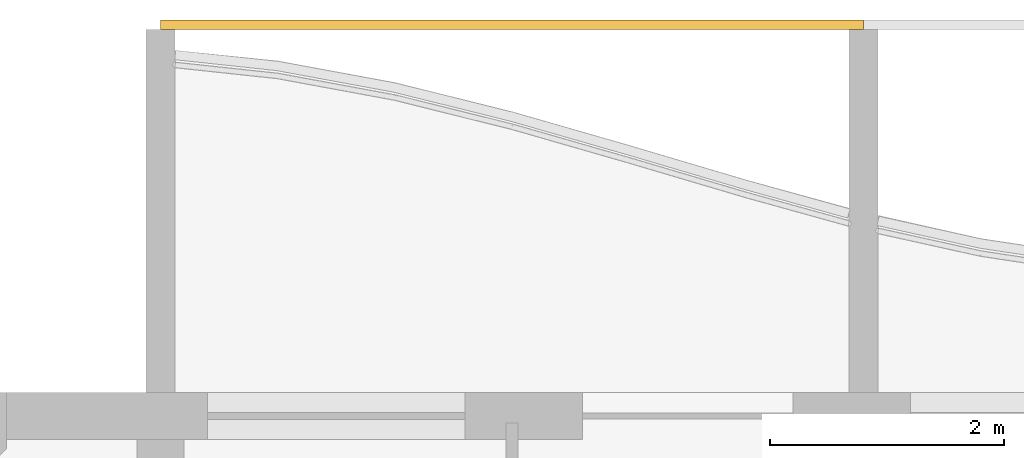
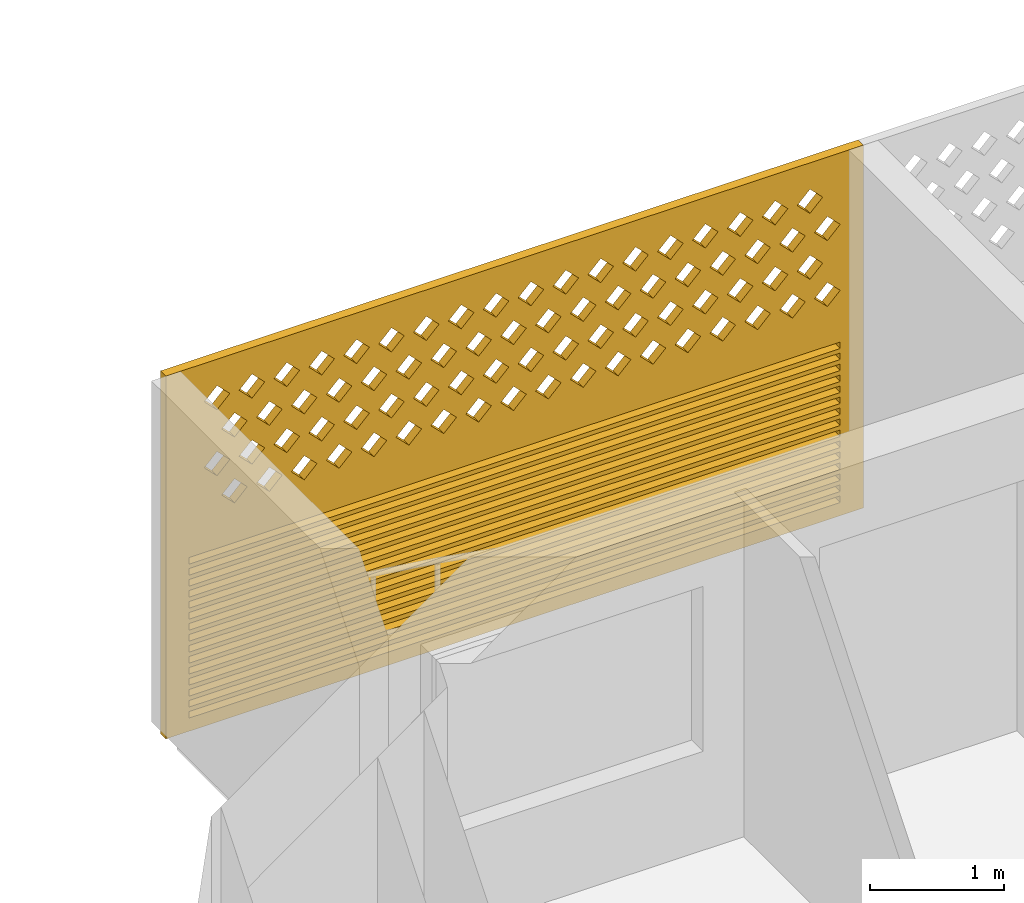
# One storey, part 21 of 40: 1 covering.
"""IFC4 building model written with IfcOpenShell, lengths in metres."""

from ifc_helpers import new_model, si_unit, direction, frame, origin, place, context, subcontext, project, spatial, polyline, outline, extrude, source, transform, mapped, material, material_profile, profile_set, type_object, element, save


model = new_model("IFC4")

# Units and contexts
model_context = context("Model", 3, precision=1e-05, world=origin(), true_north=direction((0.0, 1.0)))
body_context = subcontext(model_context, "Body", "Model", "MODEL_VIEW")
ifc_project = project(units=[si_unit("LENGTHUNIT", "METRE"), si_unit("AREAUNIT", "SQUARE_METRE"), si_unit("VOLUMEUNIT", "CUBIC_METRE"), si_unit("PLANEANGLEUNIT", "RADIAN"), si_unit("MASSUNIT", "GRAM", prefix="KILO")], contexts=[model_context])

# Site, building, storey
site_placement = place(None, origin())
site = spatial("IfcSite", under=ifc_project, at=site_placement, CompositionType="ELEMENT")
building_placement = place(site_placement, origin())
building = spatial("IfcBuilding", under=site, at=building_placement, Name="Poui Terraces", CompositionType="ELEMENT")
storey_placement = place(building_placement, frame((0.0, 0.0, 39.89990234375)))
storey = spatial("IfcBuildingStorey", under=building, at=storey_placement, Name="L10", CompositionType="ELEMENT", Elevation=39.89990234375)

# Covering
ifc_material = material(Name="Terracotta screen", Category="masonry")
ifc_material_profile = material_profile(ifc_material, outline(polyline([(-3.0, -1.64990234375), (3.0, -1.64990234375), (3.0, 1.64990234375), (-3.0, 1.64990234375), (-3.0, -1.64990234375)]), holes=[polyline([(-2.800048828125, 0.39990234375), (-2.68994140625, 0.2900390625), (-2.580078125, 0.39990234375), (-2.68994140625, 0.510009765625), (-2.800048828125, 0.39990234375)]), polyline([(-2.5, 0.39990234375), (-2.389892578125, 0.2900390625), (-2.280029296875, 0.39990234375), (-2.389892578125, 0.510009765625), (-2.5, 0.39990234375)]), polyline([(-2.199951171875, 0.39990234375), (-2.090087890625, 0.2900390625), (-1.97998046875, 0.39990234375), (-2.090087890625, 0.510009765625), (-2.199951171875, 0.39990234375)]), polyline([(-1.89990234375, 0.39990234375), (-1.7900390625, 0.2900390625), (-1.679931640625, 0.39990234375), (-1.7900390625, 0.510009765625), (-1.89990234375, 0.39990234375)]), polyline([(-1.60009765625, 0.39990234375), (-1.489990234375, 0.2900390625), (-1.3798828125, 0.39990234375), (-1.489990234375, 0.510009765625), (-1.60009765625, 0.39990234375)]), polyline([(-1.300048828125, 0.39990234375), (-1.18994140625, 0.2900390625), (-1.080078125, 0.39990234375), (-1.18994140625, 0.510009765625), (-1.300048828125, 0.39990234375)]), polyline([(-1.0, 0.39990234375), (-0.889892578125, 0.2900390625), (-0.780029296875, 0.39990234375), (-0.889892578125, 0.510009765625), (-1.0, 0.39990234375)]), polyline([(-0.699951171875, 0.39990234375), (-0.590087890625, 0.2900390625), (-0.47998046875, 0.39990234375), (-0.590087890625, 0.510009765625), (-0.699951171875, 0.39990234375)]), polyline([(-0.39990234375, 0.39990234375), (-0.2900390625, 0.2900390625), (-0.179931640625, 0.39990234375), (-0.2900390625, 0.510009765625), (-0.39990234375, 0.39990234375)]), polyline([(-0.10009765625, 0.39990234375), (0.010009765625, 0.2900390625), (0.1201171875, 0.39990234375), (0.010009765625, 0.510009765625), (-0.10009765625, 0.39990234375)]), polyline([(0.199951171875, 0.39990234375), (0.31005859375, 0.2900390625), (0.419921875, 0.39990234375), (0.31005859375, 0.510009765625), (0.199951171875, 0.39990234375)]), polyline([(0.5, 0.39990234375), (0.610107421875, 0.2900390625), (0.719970703125, 0.39990234375), (0.610107421875, 0.510009765625), (0.5, 0.39990234375)]), polyline([(0.800048828125, 0.39990234375), (0.909912109375, 0.2900390625), (1.02001953125, 0.39990234375), (0.909912109375, 0.510009765625), (0.800048828125, 0.39990234375)]), polyline([(1.10009765625, 0.39990234375), (1.2099609375, 0.2900390625), (1.320068359375, 0.39990234375), (1.2099609375, 0.510009765625), (1.10009765625, 0.39990234375)]), polyline([(1.39990234375, 0.39990234375), (1.510009765625, 0.2900390625), (1.6201171875, 0.39990234375), (1.510009765625, 0.510009765625), (1.39990234375, 0.39990234375)]), polyline([(1.699951171875, 0.39990234375), (1.81005859375, 0.2900390625), (1.919921875, 0.39990234375), (1.81005859375, 0.510009765625), (1.699951171875, 0.39990234375)]), polyline([(2.0, 0.39990234375), (2.110107421875, 0.2900390625), (2.219970703125, 0.39990234375), (2.110107421875, 0.510009765625), (2.0, 0.39990234375)]), polyline([(2.300048828125, 0.39990234375), (2.409912109375, 0.2900390625), (2.52001953125, 0.39990234375), (2.409912109375, 0.510009765625), (2.300048828125, 0.39990234375)]), polyline([(-2.64990234375, 0.699951171875), (-2.5400390625, 0.590087890625), (-2.429931640625, 0.699951171875), (-2.5400390625, 0.81005859375), (-2.64990234375, 0.699951171875)]), polyline([(-2.35009765625, 0.699951171875), (-2.239990234375, 0.590087890625), (-2.1298828125, 0.699951171875), (-2.239990234375, 0.81005859375), (-2.35009765625, 0.699951171875)]), polyline([(-2.050048828125, 0.699951171875), (-1.93994140625, 0.590087890625), (-1.830078125, 0.699951171875), (-1.93994140625, 0.81005859375), (-2.050048828125, 0.699951171875)]), polyline([(-1.75, 0.699951171875), (-1.639892578125, 0.590087890625), (-1.530029296875, 0.699951171875), (-1.639892578125, 0.81005859375), (-1.75, 0.699951171875)]), polyline([(-1.449951171875, 0.699951171875), (-1.340087890625, 0.590087890625), (-1.22998046875, 0.699951171875), (-1.340087890625, 0.81005859375), (-1.449951171875, 0.699951171875)]), polyline([(-1.14990234375, 0.699951171875), (-1.0400390625, 0.590087890625), (-0.929931640625, 0.699951171875), (-1.0400390625, 0.81005859375), (-1.14990234375, 0.699951171875)]), polyline([(-0.85009765625, 0.699951171875), (-0.739990234375, 0.590087890625), (-0.6298828125, 0.699951171875), (-0.739990234375, 0.81005859375), (-0.85009765625, 0.699951171875)]), polyline([(-0.550048828125, 0.699951171875), (-0.43994140625, 0.590087890625), (-0.330078125, 0.699951171875), (-0.43994140625, 0.81005859375), (-0.550048828125, 0.699951171875)]), polyline([(-0.25, 0.699951171875), (-0.139892578125, 0.590087890625), (-0.030029296875, 0.699951171875), (-0.139892578125, 0.81005859375), (-0.25, 0.699951171875)]), polyline([(0.050048828125, 0.699951171875), (0.159912109375, 0.590087890625), (0.27001953125, 0.699951171875), (0.159912109375, 0.81005859375), (0.050048828125, 0.699951171875)]), polyline([(0.35009765625, 0.699951171875), (0.4599609375, 0.590087890625), (0.570068359375, 0.699951171875), (0.4599609375, 0.81005859375), (0.35009765625, 0.699951171875)]), polyline([(0.64990234375, 0.699951171875), (0.760009765625, 0.590087890625), (0.8701171875, 0.699951171875), (0.760009765625, 0.81005859375), (0.64990234375, 0.699951171875)]), polyline([(0.949951171875, 0.699951171875), (1.06005859375, 0.590087890625), (1.169921875, 0.699951171875), (1.06005859375, 0.81005859375), (0.949951171875, 0.699951171875)]), polyline([(1.25, 0.699951171875), (1.360107421875, 0.590087890625), (1.469970703125, 0.699951171875), (1.360107421875, 0.81005859375), (1.25, 0.699951171875)]), polyline([(1.550048828125, 0.699951171875), (1.659912109375, 0.590087890625), (1.77001953125, 0.699951171875), (1.659912109375, 0.81005859375), (1.550048828125, 0.699951171875)]), polyline([(1.85009765625, 0.699951171875), (1.9599609375, 0.590087890625), (2.070068359375, 0.699951171875), (1.9599609375, 0.81005859375), (1.85009765625, 0.699951171875)]), polyline([(2.14990234375, 0.699951171875), (2.260009765625, 0.590087890625), (2.3701171875, 0.699951171875), (2.260009765625, 0.81005859375), (2.14990234375, 0.699951171875)]), polyline([(2.449951171875, 0.699951171875), (2.56005859375, 0.590087890625), (2.669921875, 0.699951171875), (2.56005859375, 0.81005859375), (2.449951171875, 0.699951171875)]), polyline([(-2.800048828125, 1.0), (-2.68994140625, 0.889892578125), (-2.580078125, 1.0), (-2.68994140625, 1.110107421875), (-2.800048828125, 1.0)]), polyline([(-2.5, 1.0), (-2.389892578125, 0.889892578125), (-2.280029296875, 1.0), (-2.389892578125, 1.110107421875), (-2.5, 1.0)]), polyline([(-2.199951171875, 1.0), (-2.090087890625, 0.889892578125), (-1.97998046875, 1.0), (-2.090087890625, 1.110107421875), (-2.199951171875, 1.0)]), polyline([(-1.89990234375, 1.0), (-1.7900390625, 0.889892578125), (-1.679931640625, 1.0), (-1.7900390625, 1.110107421875), (-1.89990234375, 1.0)]), polyline([(-1.60009765625, 1.0), (-1.489990234375, 0.889892578125), (-1.3798828125, 1.0), (-1.489990234375, 1.110107421875), (-1.60009765625, 1.0)]), polyline([(-1.300048828125, 1.0), (-1.18994140625, 0.889892578125), (-1.080078125, 1.0), (-1.18994140625, 1.110107421875), (-1.300048828125, 1.0)]), polyline([(-1.0, 1.0), (-0.889892578125, 0.889892578125), (-0.780029296875, 1.0), (-0.889892578125, 1.110107421875), (-1.0, 1.0)]), polyline([(-0.699951171875, 1.0), (-0.590087890625, 0.889892578125), (-0.47998046875, 1.0), (-0.590087890625, 1.110107421875), (-0.699951171875, 1.0)]), polyline([(-0.39990234375, 1.0), (-0.2900390625, 0.889892578125), (-0.179931640625, 1.0), (-0.2900390625, 1.110107421875), (-0.39990234375, 1.0)]), polyline([(-0.10009765625, 1.0), (0.010009765625, 0.889892578125), (0.1201171875, 1.0), (0.010009765625, 1.110107421875), (-0.10009765625, 1.0)]), polyline([(0.199951171875, 1.0), (0.31005859375, 0.889892578125), (0.419921875, 1.0), (0.31005859375, 1.110107421875), (0.199951171875, 1.0)]), polyline([(0.5, 1.0), (0.610107421875, 0.889892578125), (0.719970703125, 1.0), (0.610107421875, 1.110107421875), (0.5, 1.0)]), polyline([(0.800048828125, 1.0), (0.909912109375, 0.889892578125), (1.02001953125, 1.0), (0.909912109375, 1.110107421875), (0.800048828125, 1.0)]), polyline([(1.10009765625, 1.0), (1.2099609375, 0.889892578125), (1.320068359375, 1.0), (1.2099609375, 1.110107421875), (1.10009765625, 1.0)]), polyline([(1.39990234375, 1.0), (1.510009765625, 0.889892578125), (1.6201171875, 1.0), (1.510009765625, 1.110107421875), (1.39990234375, 1.0)]), polyline([(1.699951171875, 1.0), (1.81005859375, 0.889892578125), (1.919921875, 1.0), (1.81005859375, 1.110107421875), (1.699951171875, 1.0)]), polyline([(2.0, 1.0), (2.110107421875, 0.889892578125), (2.219970703125, 1.0), (2.110107421875, 1.110107421875), (2.0, 1.0)]), polyline([(2.300048828125, 1.0), (2.409912109375, 0.889892578125), (2.52001953125, 1.0), (2.409912109375, 1.110107421875), (2.300048828125, 1.0)]), polyline([(-2.64990234375, 1.300048828125), (-2.5400390625, 1.18994140625), (-2.429931640625, 1.300048828125), (-2.5400390625, 1.409912109375), (-2.64990234375, 1.300048828125)]), polyline([(-2.35009765625, 1.300048828125), (-2.239990234375, 1.18994140625), (-2.1298828125, 1.300048828125), (-2.239990234375, 1.409912109375), (-2.35009765625, 1.300048828125)]), polyline([(-2.050048828125, 1.300048828125), (-1.93994140625, 1.18994140625), (-1.830078125, 1.300048828125), (-1.93994140625, 1.409912109375), (-2.050048828125, 1.300048828125)]), polyline([(-1.75, 1.300048828125), (-1.639892578125, 1.18994140625), (-1.530029296875, 1.300048828125), (-1.639892578125, 1.409912109375), (-1.75, 1.300048828125)]), polyline([(-1.449951171875, 1.300048828125), (-1.340087890625, 1.18994140625), (-1.22998046875, 1.300048828125), (-1.340087890625, 1.409912109375), (-1.449951171875, 1.300048828125)]), polyline([(-1.14990234375, 1.300048828125), (-1.0400390625, 1.18994140625), (-0.929931640625, 1.300048828125), (-1.0400390625, 1.409912109375), (-1.14990234375, 1.300048828125)]), polyline([(-0.85009765625, 1.300048828125), (-0.739990234375, 1.18994140625), (-0.6298828125, 1.300048828125), (-0.739990234375, 1.409912109375), (-0.85009765625, 1.300048828125)]), polyline([(-0.550048828125, 1.300048828125), (-0.43994140625, 1.18994140625), (-0.330078125, 1.300048828125), (-0.43994140625, 1.409912109375), (-0.550048828125, 1.300048828125)]), polyline([(-0.25, 1.300048828125), (-0.139892578125, 1.18994140625), (-0.030029296875, 1.300048828125), (-0.139892578125, 1.409912109375), (-0.25, 1.300048828125)]), polyline([(0.050048828125, 1.300048828125), (0.159912109375, 1.18994140625), (0.27001953125, 1.300048828125), (0.159912109375, 1.409912109375), (0.050048828125, 1.300048828125)]), polyline([(0.35009765625, 1.300048828125), (0.4599609375, 1.18994140625), (0.570068359375, 1.300048828125), (0.4599609375, 1.409912109375), (0.35009765625, 1.300048828125)]), polyline([(0.64990234375, 1.300048828125), (0.760009765625, 1.18994140625), (0.8701171875, 1.300048828125), (0.760009765625, 1.409912109375), (0.64990234375, 1.300048828125)]), polyline([(0.949951171875, 1.300048828125), (1.06005859375, 1.18994140625), (1.169921875, 1.300048828125), (1.06005859375, 1.409912109375), (0.949951171875, 1.300048828125)]), polyline([(1.25, 1.300048828125), (1.360107421875, 1.18994140625), (1.469970703125, 1.300048828125), (1.360107421875, 1.409912109375), (1.25, 1.300048828125)]), polyline([(1.550048828125, 1.300048828125), (1.659912109375, 1.18994140625), (1.77001953125, 1.300048828125), (1.659912109375, 1.409912109375), (1.550048828125, 1.300048828125)]), polyline([(1.85009765625, 1.300048828125), (1.9599609375, 1.18994140625), (2.070068359375, 1.300048828125), (1.9599609375, 1.409912109375), (1.85009765625, 1.300048828125)]), polyline([(2.14990234375, 1.300048828125), (2.260009765625, 1.18994140625), (2.3701171875, 1.300048828125), (2.260009765625, 1.409912109375), (2.14990234375, 1.300048828125)]), polyline([(2.449951171875, 1.300048828125), (2.56005859375, 1.18994140625), (2.669921875, 1.300048828125), (2.56005859375, 1.409912109375), (2.449951171875, 1.300048828125)]), polyline([(-2.800048828125, -1.530029296875), (2.800048828125, -1.530029296875), (2.800048828125, -1.469970703125), (-2.800048828125, -1.469970703125), (-2.800048828125, -1.530029296875)]), polyline([(-2.800048828125, -1.429931640625), (2.800048828125, -1.429931640625), (2.800048828125, -1.3701171875), (-2.800048828125, -1.3701171875), (-2.800048828125, -1.429931640625)]), polyline([(-2.800048828125, -1.330078125), (2.800048828125, -1.330078125), (2.800048828125, -1.27001953125), (-2.800048828125, -1.27001953125), (-2.800048828125, -1.330078125)]), polyline([(-2.800048828125, -1.22998046875), (2.800048828125, -1.22998046875), (2.800048828125, -1.169921875), (-2.800048828125, -1.169921875), (-2.800048828125, -1.22998046875)]), polyline([(-2.800048828125, -1.1298828125), (2.800048828125, -1.1298828125), (2.800048828125, -1.070068359375), (-2.800048828125, -1.070068359375), (-2.800048828125, -1.1298828125)]), polyline([(-2.800048828125, -1.030029296875), (2.800048828125, -1.030029296875), (2.800048828125, -0.969970703125), (-2.800048828125, -0.969970703125), (-2.800048828125, -1.030029296875)]), polyline([(-2.800048828125, -0.929931640625), (2.800048828125, -0.929931640625), (2.800048828125, -0.8701171875), (-2.800048828125, -0.8701171875), (-2.800048828125, -0.929931640625)]), polyline([(-2.800048828125, -0.830078125), (2.800048828125, -0.830078125), (2.800048828125, -0.77001953125), (-2.800048828125, -0.77001953125), (-2.800048828125, -0.830078125)]), polyline([(-2.800048828125, -0.72998046875), (2.800048828125, -0.72998046875), (2.800048828125, -0.669921875), (-2.800048828125, -0.669921875), (-2.800048828125, -0.72998046875)]), polyline([(-2.800048828125, -0.6298828125), (2.800048828125, -0.6298828125), (2.800048828125, -0.570068359375), (-2.800048828125, -0.570068359375), (-2.800048828125, -0.6298828125)]), polyline([(-2.800048828125, -0.530029296875), (2.800048828125, -0.530029296875), (2.800048828125, -0.469970703125), (-2.800048828125, -0.469970703125), (-2.800048828125, -0.530029296875)]), polyline([(-2.800048828125, -0.429931640625), (2.800048828125, -0.429931640625), (2.800048828125, -0.3701171875), (-2.800048828125, -0.3701171875), (-2.800048828125, -0.429931640625)]), polyline([(-2.800048828125, -0.330078125), (2.800048828125, -0.330078125), (2.800048828125, -0.27001953125), (-2.800048828125, -0.27001953125), (-2.800048828125, -0.330078125)]), polyline([(-2.800048828125, -0.22998046875), (2.800048828125, -0.22998046875), (2.800048828125, -0.169921875), (-2.800048828125, -0.169921875), (-2.800048828125, -0.22998046875)]), polyline([(-2.800048828125, -0.1298828125), (2.800048828125, -0.1298828125), (2.800048828125, -0.070068359375), (-2.800048828125, -0.070068359375), (-2.800048828125, -0.1298828125)])]), Name="TERRACOTTA SCREEN AND JALOUSIE LOUVRE 6000X3300")
ifc_profile_set = profile_set([ifc_material_profile], Name="Terracotta screen")
covering_type = type_object("IfcCoveringType", Name="TERRACOTTA SCREEN AND JALOUSIE LOUVRE 6000X3300", PredefinedType="CLADDING", material=ifc_profile_set)
shared_shape = source(origin(), body_context, "Body", "SweptSolid", [
    extrude(outline(polyline([(-3.0, -1.64990234375), (3.0, -1.64990234375), (3.0, 1.64990234375), (-3.0, 1.64990234375), (-3.0, -1.64990234375)]), holes=[polyline([(-2.800048828125, 0.39990234375), (-2.68994140625, 0.2900390625), (-2.580078125, 0.39990234375), (-2.68994140625, 0.510009765625), (-2.800048828125, 0.39990234375)]), polyline([(-2.5, 0.39990234375), (-2.389892578125, 0.2900390625), (-2.280029296875, 0.39990234375), (-2.389892578125, 0.510009765625), (-2.5, 0.39990234375)]), polyline([(-2.199951171875, 0.39990234375), (-2.090087890625, 0.2900390625), (-1.97998046875, 0.39990234375), (-2.090087890625, 0.510009765625), (-2.199951171875, 0.39990234375)]), polyline([(-1.89990234375, 0.39990234375), (-1.7900390625, 0.2900390625), (-1.679931640625, 0.39990234375), (-1.7900390625, 0.510009765625), (-1.89990234375, 0.39990234375)]), polyline([(-1.60009765625, 0.39990234375), (-1.489990234375, 0.2900390625), (-1.3798828125, 0.39990234375), (-1.489990234375, 0.510009765625), (-1.60009765625, 0.39990234375)]), polyline([(-1.300048828125, 0.39990234375), (-1.18994140625, 0.2900390625), (-1.080078125, 0.39990234375), (-1.18994140625, 0.510009765625), (-1.300048828125, 0.39990234375)]), polyline([(-1.0, 0.39990234375), (-0.889892578125, 0.2900390625), (-0.780029296875, 0.39990234375), (-0.889892578125, 0.510009765625), (-1.0, 0.39990234375)]), polyline([(-0.699951171875, 0.39990234375), (-0.590087890625, 0.2900390625), (-0.47998046875, 0.39990234375), (-0.590087890625, 0.510009765625), (-0.699951171875, 0.39990234375)]), polyline([(-0.39990234375, 0.39990234375), (-0.2900390625, 0.2900390625), (-0.179931640625, 0.39990234375), (-0.2900390625, 0.510009765625), (-0.39990234375, 0.39990234375)]), polyline([(-0.10009765625, 0.39990234375), (0.010009765625, 0.2900390625), (0.1201171875, 0.39990234375), (0.010009765625, 0.510009765625), (-0.10009765625, 0.39990234375)]), polyline([(0.199951171875, 0.39990234375), (0.31005859375, 0.2900390625), (0.419921875, 0.39990234375), (0.31005859375, 0.510009765625), (0.199951171875, 0.39990234375)]), polyline([(0.5, 0.39990234375), (0.610107421875, 0.2900390625), (0.719970703125, 0.39990234375), (0.610107421875, 0.510009765625), (0.5, 0.39990234375)]), polyline([(0.800048828125, 0.39990234375), (0.909912109375, 0.2900390625), (1.02001953125, 0.39990234375), (0.909912109375, 0.510009765625), (0.800048828125, 0.39990234375)]), polyline([(1.10009765625, 0.39990234375), (1.2099609375, 0.2900390625), (1.320068359375, 0.39990234375), (1.2099609375, 0.510009765625), (1.10009765625, 0.39990234375)]), polyline([(1.39990234375, 0.39990234375), (1.510009765625, 0.2900390625), (1.6201171875, 0.39990234375), (1.510009765625, 0.510009765625), (1.39990234375, 0.39990234375)]), polyline([(1.699951171875, 0.39990234375), (1.81005859375, 0.2900390625), (1.919921875, 0.39990234375), (1.81005859375, 0.510009765625), (1.699951171875, 0.39990234375)]), polyline([(2.0, 0.39990234375), (2.110107421875, 0.2900390625), (2.219970703125, 0.39990234375), (2.110107421875, 0.510009765625), (2.0, 0.39990234375)]), polyline([(2.300048828125, 0.39990234375), (2.409912109375, 0.2900390625), (2.52001953125, 0.39990234375), (2.409912109375, 0.510009765625), (2.300048828125, 0.39990234375)]), polyline([(-2.64990234375, 0.699951171875), (-2.5400390625, 0.590087890625), (-2.429931640625, 0.699951171875), (-2.5400390625, 0.81005859375), (-2.64990234375, 0.699951171875)]), polyline([(-2.35009765625, 0.699951171875), (-2.239990234375, 0.590087890625), (-2.1298828125, 0.699951171875), (-2.239990234375, 0.81005859375), (-2.35009765625, 0.699951171875)]), polyline([(-2.050048828125, 0.699951171875), (-1.93994140625, 0.590087890625), (-1.830078125, 0.699951171875), (-1.93994140625, 0.81005859375), (-2.050048828125, 0.699951171875)]), polyline([(-1.75, 0.699951171875), (-1.639892578125, 0.590087890625), (-1.530029296875, 0.699951171875), (-1.639892578125, 0.81005859375), (-1.75, 0.699951171875)]), polyline([(-1.449951171875, 0.699951171875), (-1.340087890625, 0.590087890625), (-1.22998046875, 0.699951171875), (-1.340087890625, 0.81005859375), (-1.449951171875, 0.699951171875)]), polyline([(-1.14990234375, 0.699951171875), (-1.0400390625, 0.590087890625), (-0.929931640625, 0.699951171875), (-1.0400390625, 0.81005859375), (-1.14990234375, 0.699951171875)]), polyline([(-0.85009765625, 0.699951171875), (-0.739990234375, 0.590087890625), (-0.6298828125, 0.699951171875), (-0.739990234375, 0.81005859375), (-0.85009765625, 0.699951171875)]), polyline([(-0.550048828125, 0.699951171875), (-0.43994140625, 0.590087890625), (-0.330078125, 0.699951171875), (-0.43994140625, 0.81005859375), (-0.550048828125, 0.699951171875)]), polyline([(-0.25, 0.699951171875), (-0.139892578125, 0.590087890625), (-0.030029296875, 0.699951171875), (-0.139892578125, 0.81005859375), (-0.25, 0.699951171875)]), polyline([(0.050048828125, 0.699951171875), (0.159912109375, 0.590087890625), (0.27001953125, 0.699951171875), (0.159912109375, 0.81005859375), (0.050048828125, 0.699951171875)]), polyline([(0.35009765625, 0.699951171875), (0.4599609375, 0.590087890625), (0.570068359375, 0.699951171875), (0.4599609375, 0.81005859375), (0.35009765625, 0.699951171875)]), polyline([(0.64990234375, 0.699951171875), (0.760009765625, 0.590087890625), (0.8701171875, 0.699951171875), (0.760009765625, 0.81005859375), (0.64990234375, 0.699951171875)]), polyline([(0.949951171875, 0.699951171875), (1.06005859375, 0.590087890625), (1.169921875, 0.699951171875), (1.06005859375, 0.81005859375), (0.949951171875, 0.699951171875)]), polyline([(1.25, 0.699951171875), (1.360107421875, 0.590087890625), (1.469970703125, 0.699951171875), (1.360107421875, 0.81005859375), (1.25, 0.699951171875)]), polyline([(1.550048828125, 0.699951171875), (1.659912109375, 0.590087890625), (1.77001953125, 0.699951171875), (1.659912109375, 0.81005859375), (1.550048828125, 0.699951171875)]), polyline([(1.85009765625, 0.699951171875), (1.9599609375, 0.590087890625), (2.070068359375, 0.699951171875), (1.9599609375, 0.81005859375), (1.85009765625, 0.699951171875)]), polyline([(2.14990234375, 0.699951171875), (2.260009765625, 0.590087890625), (2.3701171875, 0.699951171875), (2.260009765625, 0.81005859375), (2.14990234375, 0.699951171875)]), polyline([(2.449951171875, 0.699951171875), (2.56005859375, 0.590087890625), (2.669921875, 0.699951171875), (2.56005859375, 0.81005859375), (2.449951171875, 0.699951171875)]), polyline([(-2.800048828125, 1.0), (-2.68994140625, 0.889892578125), (-2.580078125, 1.0), (-2.68994140625, 1.110107421875), (-2.800048828125, 1.0)]), polyline([(-2.5, 1.0), (-2.389892578125, 0.889892578125), (-2.280029296875, 1.0), (-2.389892578125, 1.110107421875), (-2.5, 1.0)]), polyline([(-2.199951171875, 1.0), (-2.090087890625, 0.889892578125), (-1.97998046875, 1.0), (-2.090087890625, 1.110107421875), (-2.199951171875, 1.0)]), polyline([(-1.89990234375, 1.0), (-1.7900390625, 0.889892578125), (-1.679931640625, 1.0), (-1.7900390625, 1.110107421875), (-1.89990234375, 1.0)]), polyline([(-1.60009765625, 1.0), (-1.489990234375, 0.889892578125), (-1.3798828125, 1.0), (-1.489990234375, 1.110107421875), (-1.60009765625, 1.0)]), polyline([(-1.300048828125, 1.0), (-1.18994140625, 0.889892578125), (-1.080078125, 1.0), (-1.18994140625, 1.110107421875), (-1.300048828125, 1.0)]), polyline([(-1.0, 1.0), (-0.889892578125, 0.889892578125), (-0.780029296875, 1.0), (-0.889892578125, 1.110107421875), (-1.0, 1.0)]), polyline([(-0.699951171875, 1.0), (-0.590087890625, 0.889892578125), (-0.47998046875, 1.0), (-0.590087890625, 1.110107421875), (-0.699951171875, 1.0)]), polyline([(-0.39990234375, 1.0), (-0.2900390625, 0.889892578125), (-0.179931640625, 1.0), (-0.2900390625, 1.110107421875), (-0.39990234375, 1.0)]), polyline([(-0.10009765625, 1.0), (0.010009765625, 0.889892578125), (0.1201171875, 1.0), (0.010009765625, 1.110107421875), (-0.10009765625, 1.0)]), polyline([(0.199951171875, 1.0), (0.31005859375, 0.889892578125), (0.419921875, 1.0), (0.31005859375, 1.110107421875), (0.199951171875, 1.0)]), polyline([(0.5, 1.0), (0.610107421875, 0.889892578125), (0.719970703125, 1.0), (0.610107421875, 1.110107421875), (0.5, 1.0)]), polyline([(0.800048828125, 1.0), (0.909912109375, 0.889892578125), (1.02001953125, 1.0), (0.909912109375, 1.110107421875), (0.800048828125, 1.0)]), polyline([(1.10009765625, 1.0), (1.2099609375, 0.889892578125), (1.320068359375, 1.0), (1.2099609375, 1.110107421875), (1.10009765625, 1.0)]), polyline([(1.39990234375, 1.0), (1.510009765625, 0.889892578125), (1.6201171875, 1.0), (1.510009765625, 1.110107421875), (1.39990234375, 1.0)]), polyline([(1.699951171875, 1.0), (1.81005859375, 0.889892578125), (1.919921875, 1.0), (1.81005859375, 1.110107421875), (1.699951171875, 1.0)]), polyline([(2.0, 1.0), (2.110107421875, 0.889892578125), (2.219970703125, 1.0), (2.110107421875, 1.110107421875), (2.0, 1.0)]), polyline([(2.300048828125, 1.0), (2.409912109375, 0.889892578125), (2.52001953125, 1.0), (2.409912109375, 1.110107421875), (2.300048828125, 1.0)]), polyline([(-2.64990234375, 1.300048828125), (-2.5400390625, 1.18994140625), (-2.429931640625, 1.300048828125), (-2.5400390625, 1.409912109375), (-2.64990234375, 1.300048828125)]), polyline([(-2.35009765625, 1.300048828125), (-2.239990234375, 1.18994140625), (-2.1298828125, 1.300048828125), (-2.239990234375, 1.409912109375), (-2.35009765625, 1.300048828125)]), polyline([(-2.050048828125, 1.300048828125), (-1.93994140625, 1.18994140625), (-1.830078125, 1.300048828125), (-1.93994140625, 1.409912109375), (-2.050048828125, 1.300048828125)]), polyline([(-1.75, 1.300048828125), (-1.639892578125, 1.18994140625), (-1.530029296875, 1.300048828125), (-1.639892578125, 1.409912109375), (-1.75, 1.300048828125)]), polyline([(-1.449951171875, 1.300048828125), (-1.340087890625, 1.18994140625), (-1.22998046875, 1.300048828125), (-1.340087890625, 1.409912109375), (-1.449951171875, 1.300048828125)]), polyline([(-1.14990234375, 1.300048828125), (-1.0400390625, 1.18994140625), (-0.929931640625, 1.300048828125), (-1.0400390625, 1.409912109375), (-1.14990234375, 1.300048828125)]), polyline([(-0.85009765625, 1.300048828125), (-0.739990234375, 1.18994140625), (-0.6298828125, 1.300048828125), (-0.739990234375, 1.409912109375), (-0.85009765625, 1.300048828125)]), polyline([(-0.550048828125, 1.300048828125), (-0.43994140625, 1.18994140625), (-0.330078125, 1.300048828125), (-0.43994140625, 1.409912109375), (-0.550048828125, 1.300048828125)]), polyline([(-0.25, 1.300048828125), (-0.139892578125, 1.18994140625), (-0.030029296875, 1.300048828125), (-0.139892578125, 1.409912109375), (-0.25, 1.300048828125)]), polyline([(0.050048828125, 1.300048828125), (0.159912109375, 1.18994140625), (0.27001953125, 1.300048828125), (0.159912109375, 1.409912109375), (0.050048828125, 1.300048828125)]), polyline([(0.35009765625, 1.300048828125), (0.4599609375, 1.18994140625), (0.570068359375, 1.300048828125), (0.4599609375, 1.409912109375), (0.35009765625, 1.300048828125)]), polyline([(0.64990234375, 1.300048828125), (0.760009765625, 1.18994140625), (0.8701171875, 1.300048828125), (0.760009765625, 1.409912109375), (0.64990234375, 1.300048828125)]), polyline([(0.949951171875, 1.300048828125), (1.06005859375, 1.18994140625), (1.169921875, 1.300048828125), (1.06005859375, 1.409912109375), (0.949951171875, 1.300048828125)]), polyline([(1.25, 1.300048828125), (1.360107421875, 1.18994140625), (1.469970703125, 1.300048828125), (1.360107421875, 1.409912109375), (1.25, 1.300048828125)]), polyline([(1.550048828125, 1.300048828125), (1.659912109375, 1.18994140625), (1.77001953125, 1.300048828125), (1.659912109375, 1.409912109375), (1.550048828125, 1.300048828125)]), polyline([(1.85009765625, 1.300048828125), (1.9599609375, 1.18994140625), (2.070068359375, 1.300048828125), (1.9599609375, 1.409912109375), (1.85009765625, 1.300048828125)]), polyline([(2.14990234375, 1.300048828125), (2.260009765625, 1.18994140625), (2.3701171875, 1.300048828125), (2.260009765625, 1.409912109375), (2.14990234375, 1.300048828125)]), polyline([(2.449951171875, 1.300048828125), (2.56005859375, 1.18994140625), (2.669921875, 1.300048828125), (2.56005859375, 1.409912109375), (2.449951171875, 1.300048828125)]), polyline([(-2.800048828125, -1.530029296875), (2.800048828125, -1.530029296875), (2.800048828125, -1.469970703125), (-2.800048828125, -1.469970703125), (-2.800048828125, -1.530029296875)]), polyline([(-2.800048828125, -1.429931640625), (2.800048828125, -1.429931640625), (2.800048828125, -1.3701171875), (-2.800048828125, -1.3701171875), (-2.800048828125, -1.429931640625)]), polyline([(-2.800048828125, -1.330078125), (2.800048828125, -1.330078125), (2.800048828125, -1.27001953125), (-2.800048828125, -1.27001953125), (-2.800048828125, -1.330078125)]), polyline([(-2.800048828125, -1.22998046875), (2.800048828125, -1.22998046875), (2.800048828125, -1.169921875), (-2.800048828125, -1.169921875), (-2.800048828125, -1.22998046875)]), polyline([(-2.800048828125, -1.1298828125), (2.800048828125, -1.1298828125), (2.800048828125, -1.070068359375), (-2.800048828125, -1.070068359375), (-2.800048828125, -1.1298828125)]), polyline([(-2.800048828125, -1.030029296875), (2.800048828125, -1.030029296875), (2.800048828125, -0.969970703125), (-2.800048828125, -0.969970703125), (-2.800048828125, -1.030029296875)]), polyline([(-2.800048828125, -0.929931640625), (2.800048828125, -0.929931640625), (2.800048828125, -0.8701171875), (-2.800048828125, -0.8701171875), (-2.800048828125, -0.929931640625)]), polyline([(-2.800048828125, -0.830078125), (2.800048828125, -0.830078125), (2.800048828125, -0.77001953125), (-2.800048828125, -0.77001953125), (-2.800048828125, -0.830078125)]), polyline([(-2.800048828125, -0.72998046875), (2.800048828125, -0.72998046875), (2.800048828125, -0.669921875), (-2.800048828125, -0.669921875), (-2.800048828125, -0.72998046875)]), polyline([(-2.800048828125, -0.6298828125), (2.800048828125, -0.6298828125), (2.800048828125, -0.570068359375), (-2.800048828125, -0.570068359375), (-2.800048828125, -0.6298828125)]), polyline([(-2.800048828125, -0.530029296875), (2.800048828125, -0.530029296875), (2.800048828125, -0.469970703125), (-2.800048828125, -0.469970703125), (-2.800048828125, -0.530029296875)]), polyline([(-2.800048828125, -0.429931640625), (2.800048828125, -0.429931640625), (2.800048828125, -0.3701171875), (-2.800048828125, -0.3701171875), (-2.800048828125, -0.429931640625)]), polyline([(-2.800048828125, -0.330078125), (2.800048828125, -0.330078125), (2.800048828125, -0.27001953125), (-2.800048828125, -0.27001953125), (-2.800048828125, -0.330078125)]), polyline([(-2.800048828125, -0.22998046875), (2.800048828125, -0.22998046875), (2.800048828125, -0.169921875), (-2.800048828125, -0.169921875), (-2.800048828125, -0.22998046875)]), polyline([(-2.800048828125, -0.1298828125), (2.800048828125, -0.1298828125), (2.800048828125, -0.070068359375), (-2.800048828125, -0.070068359375), (-2.800048828125, -0.1298828125)])]), origin(), (0.0, 0.0, 1.0), 0.079833984375),
])
covering_placement = place(storey_placement, frame((9.0, 48.10009765625, 1.4501953125), z_axis=(0.0, 1.0, 0.0), x_axis=(-1.0, 0.0, 0.0)))
element("IfcCovering", 1, at=covering_placement, inside=storey, type_object=covering_type, Name="SOLAR SCREEN AND JALOUSIE LOUVRE", PredefinedType="CLADDING", context=body_context, shape_type="MappedRepresentation", body=[
    mapped(shared_shape, transform((0.0, 0.0, 0.0))),
])

save(model, "model.ifc")
